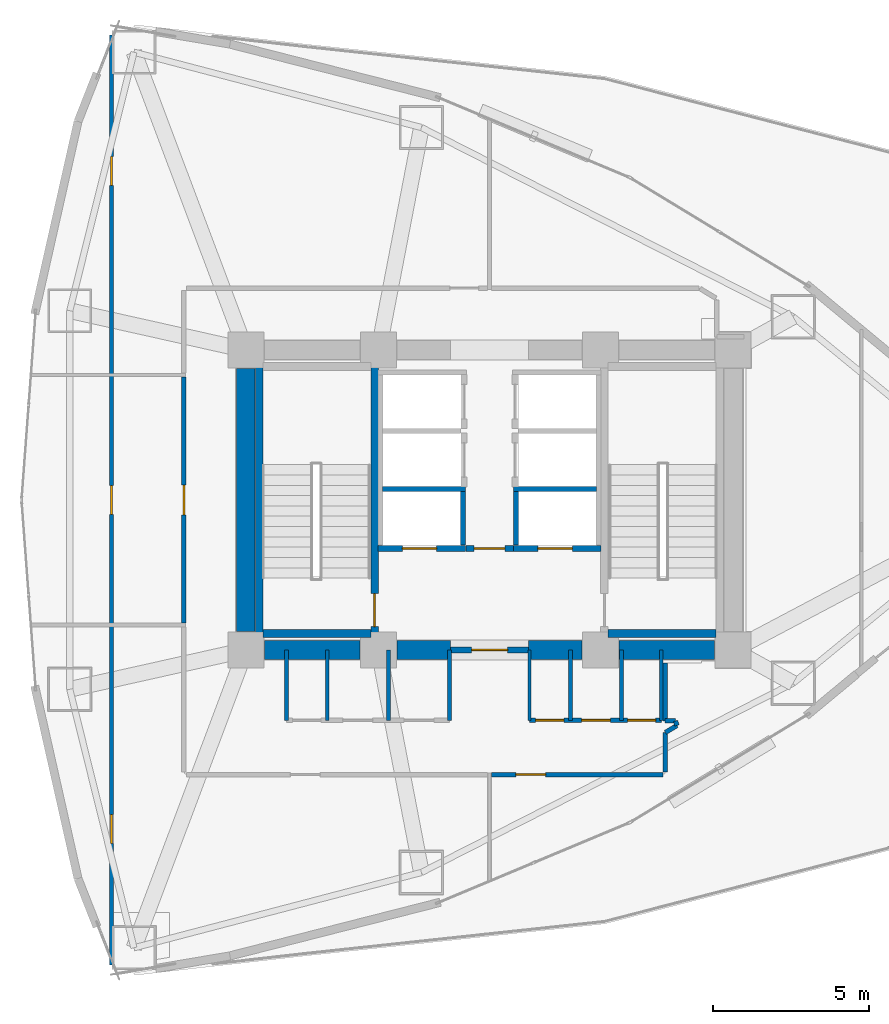
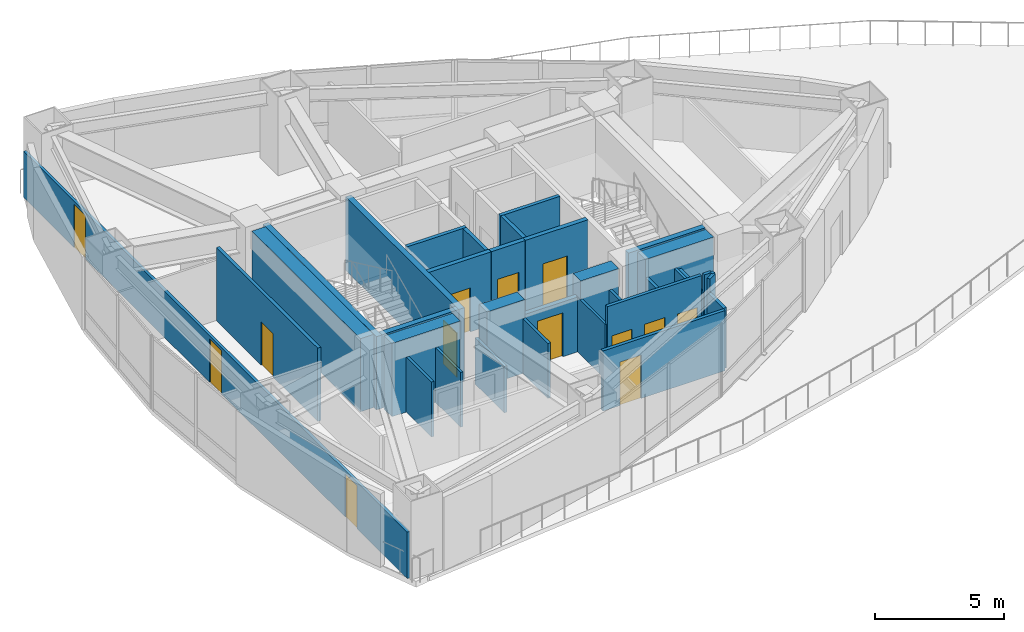
# One storey, part 14 of 19: 34 walls, 13 doors, 13 openings.
"""IFC4 building model written with IfcOpenShell, lengths in metres."""

from ifc_helpers import new_model, si_unit, direction, frame, frame_2d, origin, place, context, subcontext, project, spatial, rectangle, extrude, material, layer, layer_set, type_object, element, fill, save


model = new_model("IFC4")

# Units and contexts
model_context = context("Model", 3, precision=1e-05, world=origin(), true_north=direction((0.0, 1.0)))
body_context = subcontext(model_context, "Body", "Model", "MODEL_VIEW")
ifc_project = project(units=[si_unit("LENGTHUNIT", "METRE"), si_unit("AREAUNIT", "SQUARE_METRE"), si_unit("VOLUMEUNIT", "CUBIC_METRE"), si_unit("PLANEANGLEUNIT", "RADIAN"), si_unit("MASSUNIT", "GRAM", prefix="KILO")], contexts=[model_context])

# Site, building, storey
site_placement = place(None, origin())
site = spatial("IfcSite", under=ifc_project, at=site_placement, CompositionType="ELEMENT")
building_placement = place(site_placement, origin())
building = spatial("IfcBuilding", under=site, at=building_placement, Name="Menara Vayukalpa", CompositionType="ELEMENT")
storey_placement = place(building_placement, frame((0.0, 0.0, 68.52001953125)))
storey = spatial("IfcBuildingStorey", under=building, at=storey_placement, Name="L16", CompositionType="ELEMENT", Elevation=68.52001953125)

# Walls
ifc_material_1 = material(Name="Concrete C70/85", Category="concrete")
ifc_layer_1 = layer(ifc_material_1, 0.60009765625)
ifc_layer_set_1 = layer_set([ifc_layer_1], Name="Concrete C70/85")
wall_type_1 = type_object("IfcWallType", Name="WAL-CW600", PredefinedType="SHEAR", material=ifc_layer_set_1)
wall_1_placement = place(storey_placement, frame((18.39501953125, 17.199951171875, 0.0), z_axis=(0.0, 0.0, 1.0), x_axis=(1.0, 0.0, 0.0)))
element("IfcWall", 1, at=wall_1_placement, inside=storey, type_object=wall_type_1, Name="L16 Buttressed Core Shear Wall CWS1", PredefinedType="SHEAR", context=body_context, shape_type="SweptSolid", body=[
    extrude(rectangle(XDim=3.06005859375, YDim=0.60009765625, at=frame_2d((1.530029296875, 0.0))), origin(), (0.0, 0.0, 1.0), 3.469970703125),
])
wall_2_placement = place(storey_placement, frame((22.64501953125, 17.199951171875, 0.0), z_axis=(0.0, 0.0, 1.0), x_axis=(1.0, 0.0, 0.0)))
element("IfcWall", 2, at=wall_2_placement, inside=storey, type_object=wall_type_1, Name="L16 Buttressed Core Shear Wall CWS2", PredefinedType="SHEAR", context=body_context, shape_type="SweptSolid", body=[
    extrude(rectangle(XDim=1.705078125, YDim=0.60009765625, at=frame_2d((0.8525390625, 0.0))), origin(), (0.0, 0.0, 1.0), 3.469970703125),
])
wall_3_placement = place(storey_placement, frame((26.85009765625, 17.199951171875, 0.0), z_axis=(0.0, 0.0, 1.0), x_axis=(1.0, 0.0, 0.0)))
element("IfcWall", 3, at=wall_3_placement, inside=storey, type_object=wall_type_1, Name="L16 Buttressed Core Shear Wall CWS3", PredefinedType="SHEAR", context=body_context, shape_type="SweptSolid", body=[
    extrude(rectangle(XDim=1.704833984375, YDim=0.60009765625, at=frame_2d((0.8525390625, 0.0))), origin(), (0.0, 0.0, 1.0), 3.469970703125),
])
wall_4_placement = place(storey_placement, frame((29.7451171875, 17.199951171875, 0.0), z_axis=(0.0, 0.0, 1.0), x_axis=(1.0, 0.0, 0.0)))
element("IfcWall", 4, at=wall_4_placement, inside=storey, type_object=wall_type_1, Name="L16 Buttressed Core Shear Wall CWS4", PredefinedType="SHEAR", context=body_context, shape_type="SweptSolid", body=[
    extrude(rectangle(XDim=3.059814453125, YDim=0.60009765625, at=frame_2d((1.52978515625, 0.0))), origin(), (0.0, 0.0, 1.0), 3.469970703125),
])
wall_5_placement = place(storey_placement, frame((17.800048828125, 17.794921875, 0.0), z_axis=(0.0, 0.0, 1.0), x_axis=(0.0, 1.0, 0.0)))
element("IfcWall", 5, at=wall_5_placement, inside=storey, type_object=wall_type_1, Name="L16 Buttressed Core Shear Wall CWW1", PredefinedType="SHEAR", context=body_context, shape_type="SweptSolid", body=[
    extrude(rectangle(XDim=8.41015625, YDim=0.60009765625, at=frame_2d((4.205078125, 0.0))), origin(), (0.0, 0.0, 1.0), 3.469970703125),
])
ifc_material_2 = material(Name="Lightweight Concrete Blockwork C16/20", Category="masonry")
ifc_layer_2 = layer(ifc_material_2, 0.159912109375)
ifc_layer_set_2 = layer_set([ifc_layer_2], Name="Lightweight Concrete Blockwork C16/20")
wall_type_2 = type_object("IfcWallType", Name="WAL-FR150", PredefinedType="PARTITIONING", material=ifc_layer_set_2)
wall_6_placement = place(storey_placement, frame((24.7548828125, 20.56005859375, 0.0), z_axis=(0.0, 0.0, 1.0), x_axis=(0.0, 1.0, 0.0)))
element("IfcWall", 6, at=wall_6_placement, inside=storey, type_object=wall_type_2, Name="L16 Interior Partition IW-L16-SHW-W1E", PredefinedType="PARTITIONING", context=body_context, shape_type="SweptSolid", body=[
    extrude(rectangle(XDim=1.7099609375, YDim=0.159912109375, at=frame_2d((0.85498046875, 0.0))), origin(), (0.0, 0.0, 1.0), 3.469970703125),
])
wall_7_placement = place(storey_placement, frame((22.179931640625, 22.344970703125, 0.0), z_axis=(0.0, 0.0, 1.0), x_axis=(1.0, 0.0, 0.0)))
element("IfcWall", 7, at=wall_7_placement, inside=storey, type_object=wall_type_2, Name="L16 Interior Partition IW-L16-SHM-W12", PredefinedType="PARTITIONING", context=body_context, shape_type="SweptSolid", body=[
    extrude(rectangle(XDim=2.650146484375, YDim=0.159912109375, at=frame_2d((1.3251953125, 0.0))), origin(), (0.0, 0.0, 1.0), 3.469970703125),
])
wall_8_placement = place(storey_placement, frame((26.445068359375, 20.56005859375, 0.0), z_axis=(0.0, 0.0, 1.0), x_axis=(0.0, 1.0, 0.0)))
element("IfcWall", 8, at=wall_8_placement, inside=storey, type_object=wall_type_2, Name="L16 Interior Partition IW-L16-SHW-E1W", PredefinedType="PARTITIONING", context=body_context, shape_type="SweptSolid", body=[
    extrude(rectangle(XDim=1.7099609375, YDim=0.159912109375, at=frame_2d((0.85498046875, 0.0))), origin(), (0.0, 0.0, 1.0), 3.469970703125),
])
wall_9_placement = place(storey_placement, frame((26.3701171875, 22.344970703125, 0.0), z_axis=(0.0, 0.0, 1.0), x_axis=(1.0, 0.0, 0.0)))
element("IfcWall", 9, at=wall_9_placement, inside=storey, type_object=wall_type_2, Name="L16 Interior Partition IW-L16-SHM-E13", PredefinedType="PARTITIONING", context=body_context, shape_type="SweptSolid", body=[
    extrude(rectangle(XDim=2.64990234375, YDim=0.159912109375, at=frame_2d((1.324951171875, 0.0))), origin(), (0.0, 0.0, 1.0), 3.469970703125),
])

# Wall, opening, door
ifc_material_3 = material(Name="Lightweight Concrete Blockwork C16/20", Category="masonry")
ifc_layer_3 = layer(ifc_material_3, 0.199951171875)
ifc_layer_set_3 = layer_set([ifc_layer_3], Name="Lightweight Concrete Blockwork C16/20")
wall_type_3 = type_object("IfcWallType", Name="WAL-FR200", PredefinedType="PARTITIONING", material=ifc_layer_set_3)
wall_10_placement = place(storey_placement, frame((24.35009765625, 17.199951171875, 0.0), z_axis=(0.0, 0.0, 1.0), x_axis=(1.0, 0.0, 0.0)))
wall_10 = element("IfcWall", 10, at=wall_10_placement, inside=storey, type_object=wall_type_3, Name="L16 Interior Partition IW-L16-FFLS", PredefinedType="PARTITIONING", context=body_context, shape_type="SweptSolid", body=[
    extrude(rectangle(XDim=2.5, YDim=0.199951171875, at=frame_2d((1.25, 0.0))), origin(), (0.0, 0.0, 1.0), 2.60009765625),
])
opening_1_placement = place(wall_10_placement, frame((0.679931640625, 0.0, 0.0)))
opening_1 = element("IfcOpeningElement", 11, at=opening_1_placement, cuts=wall_10, Name="Opening ID2", PredefinedType="OPENING", context=body_context, shape_type="SweptSolid", body=[
    extrude(rectangle(XDim=1.14990234375, YDim=2.080078125, at=frame_2d((0.574951171875, 1.0400390625))), frame((0.0, 0.10986328125, 0.0), z_axis=(0.0, -1.0, 0.0), x_axis=(1.0, 0.0, 0.0)), (0.0, 0.0, 1.0), 0.219970703125),
])
ifc_material_4 = material(Name="Fire-Rated Powder-Coated Steel Door", Category="steel")
door_type_1 = type_object("IfcDoorType", Name="DR-FD60W", OperationType="NOTDEFINED", PredefinedType="DOOR", material=ifc_material_4)
door_1_placement = place(opening_1_placement, origin())
door_1 = element("IfcDoor", 12, at=door_1_placement, inside=storey, type_object=door_type_1, Name="L16 Interior Door DR-L16-FFLS", OperationType="SINGLE_SWING_LEFT", OverallHeight=2.080078125, OverallWidth=1.14990234375, PredefinedType="DOOR", context=body_context, shape_type="SweptSolid", body=[
    extrude(rectangle(XDim=1.14990234375, YDim=2.080078125, at=frame_2d((0.574951171875, 1.0400390625))), frame((0.0, 0.02490234375, 0.0), z_axis=(0.0, -1.0, 0.0), x_axis=(1.0, 0.0, 0.0)), (0.0, 0.0, 1.0), 0.050048828125),
])
fill(opening_1, door_1)

wall_11_placement = place(storey_placement, frame((24.840087890625, 20.449951171875, 0.0), z_axis=(0.0, 0.0, 1.0), x_axis=(1.0, 0.0, 0.0)))
wall_11 = element("IfcWall", 13, at=wall_11_placement, inside=storey, type_object=wall_type_3, Name="L16 Interior Partition IW-L16-FFLN", PredefinedType="PARTITIONING", context=body_context, shape_type="SweptSolid", body=[
    extrude(rectangle(XDim=1.52001953125, YDim=0.199951171875, at=frame_2d((0.760009765625, 0.0))), origin(), (0.0, 0.0, 1.0), 3.469970703125),
])
opening_2_placement = place(wall_11_placement, frame((0.27001953125, 0.0, 0.0)))
opening_2 = element("IfcOpeningElement", 14, at=opening_2_placement, cuts=wall_11, Name="Opening ID3", PredefinedType="OPENING", context=body_context, shape_type="SweptSolid", body=[
    extrude(rectangle(XDim=0.97998046875, YDim=2.06005859375, at=frame_2d((0.489990234375, 1.030029296875))), frame((0.0, 0.10986328125, 0.0), z_axis=(0.0, -1.0, 0.0), x_axis=(1.0, 0.0, 0.0)), (0.0, 0.0, 1.0), 0.219970703125),
])
ifc_material_5 = material(Name="Fire-Rated Powder-Coated Steel Door", Category="steel")
door_type_2 = type_object("IfcDoorType", Name="DR-FD60", OperationType="NOTDEFINED", PredefinedType="DOOR", material=ifc_material_5)
door_2_placement = place(opening_2_placement, origin())
door_2 = element("IfcDoor", 15, at=door_2_placement, inside=storey, type_object=door_type_2, Name="L16 Interior Door DR-L16-FFLN", OperationType="SINGLE_SWING_RIGHT", OverallHeight=2.06005859375, OverallWidth=0.97998046875, PredefinedType="DOOR", context=body_context, shape_type="SweptSolid", body=[
    extrude(rectangle(XDim=0.97998046875, YDim=2.06005859375, at=frame_2d((0.489990234375, 1.030029296875))), frame((0.0, 0.02490234375, 0.0), z_axis=(0.0, -1.0, 0.0), x_axis=(1.0, 0.0, 0.0)), (0.0, 0.0, 1.0), 0.050048828125),
])
fill(opening_2, door_2)

wall_12_placement = place(storey_placement, frame((22.030029296875, 20.449951171875, 0.0), z_axis=(0.0, 0.0, 1.0), x_axis=(1.0, 0.0, 0.0)))
wall_12 = element("IfcWall", 16, at=wall_12_placement, inside=storey, type_object=wall_type_3, Name="L16 Interior Partition IW-L16-SH-W1", PredefinedType="PARTITIONING", context=body_context, shape_type="SweptSolid", body=[
    extrude(rectangle(XDim=2.800048828125, YDim=0.199951171875, at=frame_2d((1.39990234375, 0.0))), origin(), (0.0, 0.0, 1.0), 3.469970703125),
])
opening_3_placement = place(wall_12_placement, frame((0.780029296875, 0.0, 0.0)))
opening_3 = element("IfcOpeningElement", 17, at=opening_3_placement, cuts=wall_12, Name="Opening LD1", PredefinedType="OPENING", context=body_context, shape_type="SweptSolid", body=[
    extrude(rectangle(XDim=1.10009765625, YDim=2.080078125, at=frame_2d((0.550048828125, 1.0400390625))), frame((0.0, 0.10986328125, 0.0), z_axis=(0.0, -1.0, 0.0), x_axis=(1.0, 0.0, 0.0)), (0.0, 0.0, 1.0), 0.219970703125),
])
ifc_material_6 = material(Name="Brushed Stainless Steel 316 Lift Door", Category="steel")
door_type_3 = type_object("IfcDoorType", Name="DR-LD110", OperationType="NOTDEFINED", PredefinedType="DOOR", material=ifc_material_6)
door_3_placement = place(opening_3_placement, origin())
door_3 = element("IfcDoor", 18, at=door_3_placement, inside=storey, type_object=door_type_3, Name="L16 Interior Door DR-L16-LD-W1", OperationType="DOUBLE_DOOR_SLIDING", OverallHeight=2.080078125, OverallWidth=1.10009765625, PredefinedType="DOOR", context=body_context, shape_type="SweptSolid", body=[
    extrude(rectangle(XDim=1.10009765625, YDim=2.080078125, at=frame_2d((0.550048828125, 1.0400390625))), frame((0.0, 0.02490234375, 0.0), z_axis=(0.0, -1.0, 0.0), x_axis=(1.0, 0.0, 0.0)), (0.0, 0.0, 1.0), 0.050048828125),
])
fill(opening_3, door_3)

wall_13_placement = place(storey_placement, frame((26.3701171875, 20.449951171875, 0.0), z_axis=(0.0, 0.0, 1.0), x_axis=(1.0, 0.0, 0.0)))
wall_13 = element("IfcWall", 19, at=wall_13_placement, inside=storey, type_object=wall_type_3, Name="L16 Interior Partition IW-L16-SH-E1", PredefinedType="PARTITIONING", context=body_context, shape_type="SweptSolid", body=[
    extrude(rectangle(XDim=2.7998046875, YDim=0.199951171875, at=frame_2d((1.39990234375, 0.0))), origin(), (0.0, 0.0, 1.0), 3.469970703125),
])
opening_4_placement = place(wall_13_placement, frame((0.780029296875, 0.0, 0.0)))
opening_4 = element("IfcOpeningElement", 20, at=opening_4_placement, cuts=wall_13, Name="Opening LD1", PredefinedType="OPENING", context=body_context, shape_type="SweptSolid", body=[
    extrude(rectangle(XDim=1.10009765625, YDim=2.080078125, at=frame_2d((0.550048828125, 1.0400390625))), frame((0.0, 0.10986328125, 0.0), z_axis=(0.0, -1.0, 0.0), x_axis=(1.0, 0.0, 0.0)), (0.0, 0.0, 1.0), 0.219970703125),
])
door_4_placement = place(opening_4_placement, origin())
door_4 = element("IfcDoor", 21, at=door_4_placement, inside=storey, type_object=door_type_3, Name="L16 Interior Door DR-L16-LD-E1", OperationType="DOUBLE_DOOR_SLIDING", OverallHeight=2.080078125, OverallWidth=1.10009765625, PredefinedType="DOOR", context=body_context, shape_type="SweptSolid", body=[
    extrude(rectangle(XDim=1.10009765625, YDim=2.080078125, at=frame_2d((0.550048828125, 1.0400390625))), frame((0.0, 0.02490234375, 0.0), z_axis=(0.0, -1.0, 0.0), x_axis=(1.0, 0.0, 0.0)), (0.0, 0.0, 1.0), 0.050048828125),
])
fill(opening_4, door_4)

# Walls
ifc_material_7 = material(Name="Acoustic Mineral Stud Partition", Category="masonry")
ifc_layer_4 = layer(ifc_material_7, 0.110107421875)
ifc_layer_set_4 = layer_set([ifc_layer_4], Name="Acoustic Mineral Stud Partition")
wall_type_4 = type_object("IfcWallType", Name="WAL-PT110", PredefinedType="PARTITIONING", material=ifc_layer_set_4)
for number, where, z_axis, x_axis, name in (
    (22, (20.39990234375, 14.949951171875, 0.0), (0.0, 0.0, 1.0), (0.0, 1.0, 0.0), "L16 Interior Partition IW-L16-SVCD-02"),
    (23, (26.8798828125, 14.949951171875, 0.0), (0.0, 0.0, 1.0), (0.0, 1.0, 0.0), "L16 Interior Partition IW-L16-SVCD-05"),
    (24, (31.10009765625, 14.949951171875, 0.0), (0.0, 0.0, 1.0), (0.0, 1.0, 0.0), "L16 Interior Partition IW-L16-SVCD-08"),
):
    element("IfcWall", number, at=place(storey_placement, frame(where, z_axis=z_axis, x_axis=x_axis)), inside=storey, type_object=wall_type_4, Name=name, PredefinedType="PARTITIONING", context=body_context, shape_type="SweptSolid", body=[
        extrude(rectangle(XDim=2.25, YDim=0.110107421875, at=frame_2d((1.125, 0.0))), origin(), (0.0, 0.0, 1.0), 2.60009765625),
    ])
ifc_material_8 = material(Name="Gypsum Drywall Steel Stud Assembly", Category="steel")
ifc_layer_5 = layer(ifc_material_8, 0.125)
ifc_layer_set_5 = layer_set([ifc_layer_5], Name="Gypsum Drywall Steel Stud Assembly")
wall_type_5 = type_object("IfcWallType", Name="WAL-PT125", PredefinedType="PARTITIONING", material=ifc_layer_set_5)
wall_14_placement = place(storey_placement, frame((19.10009765625, 14.949951171875, 0.0), z_axis=(0.0, 0.0, 1.0), x_axis=(0.0, 1.0, 0.0)))
element("IfcWall", 25, at=wall_14_placement, inside=storey, type_object=wall_type_5, Name="L16 Interior Partition IW-L16-SVCD-01", PredefinedType="PARTITIONING", context=body_context, shape_type="SweptSolid", body=[
    extrude(rectangle(XDim=2.25, YDim=0.125, at=frame_2d((1.125, 0.0))), origin(), (0.0, 0.0, 1.0), 2.60009765625),
])
wall_15_placement = place(storey_placement, frame((22.360107421875, 14.949951171875, 0.0), z_axis=(0.0, 0.0, 1.0), x_axis=(0.0, 1.0, 0.0)))
element("IfcWall", 26, at=wall_15_placement, inside=storey, type_object=wall_type_5, Name="L16 Interior Partition IW-L16-SVCD-03", PredefinedType="PARTITIONING", context=body_context, shape_type="SweptSolid", body=[
    extrude(rectangle(XDim=2.25, YDim=0.125, at=frame_2d((1.125, 0.0))), origin(), (0.0, 0.0, 1.0), 2.199951171875),
])
for number, where, z_axis, x_axis, name in (
    (27, (24.320068359375, 14.949951171875, 0.0), (0.0, 0.0, 1.0), (0.0, 1.0, 0.0), "L16 Interior Partition IW-L16-SVCD-04"),
    (28, (28.18994140625, 14.949951171875, 0.0), (0.0, 0.0, 1.0), (0.0, 1.0, 0.0), "L16 Interior Partition IW-L16-SVCD-06"),
    (29, (29.830078125, 14.949951171875, 0.0), (0.0, 0.0, 1.0), (0.0, 1.0, 0.0), "L16 Interior Partition IW-L16-SVCD-07"),
):
    element("IfcWall", number, at=place(storey_placement, frame(where, z_axis=z_axis, x_axis=x_axis)), inside=storey, type_object=wall_type_5, Name=name, PredefinedType="PARTITIONING", context=body_context, shape_type="SweptSolid", body=[
        extrude(rectangle(XDim=2.25, YDim=0.125, at=frame_2d((1.125, 0.0))), origin(), (0.0, 0.0, 1.0), 2.60009765625),
    ])

# Wall, openings, doors
wall_16_placement = place(storey_placement, frame((13.5, 7.122802734375, 0.0), z_axis=(0.0, 0.0, 1.0), x_axis=(0.0, 1.0, 0.0)))
wall_16 = element("IfcWall", 30, at=wall_16_placement, inside=storey, type_object=wall_type_5, Name="L16 Interior Partition IW-L16-RDIV01", PredefinedType="PARTITIONING", context=body_context, shape_type="SweptSolid", body=[
    extrude(rectangle(XDim=29.75439453125, YDim=0.125, at=frame_2d((14.877197265625, 0.0))), origin(), (0.0, 0.0, 1.0), 2.199951171875),
])
opening_5_placement = place(wall_16_placement, frame((3.88818359375, 0.0, 0.0)))
opening_5 = element("IfcOpeningElement", 31, at=opening_5_placement, cuts=wall_16, Name="Opening ID6", PredefinedType="OPENING", context=body_context, shape_type="SweptSolid", body=[
    extrude(rectangle(XDim=0.919921875, YDim=2.050048828125, at=frame_2d((0.4599609375, 1.02490234375))), frame((0.0, 0.072509765625, 0.0), z_axis=(0.0, -1.0, 0.0), x_axis=(1.0, 0.0, 0.0)), (0.0, 0.0, 1.0), 0.14501953125),
])
opening_6_placement = place(wall_16_placement, frame((24.94580078125, 0.0, 0.0)))
opening_6 = element("IfcOpeningElement", 32, at=opening_6_placement, cuts=wall_16, Name="Opening ID6", PredefinedType="OPENING", context=body_context, shape_type="SweptSolid", body=[
    extrude(rectangle(XDim=0.919921875, YDim=2.050048828125, at=frame_2d((0.4599609375, 1.02490234375))), frame((0.0, 0.072509765625, 0.0), z_axis=(0.0, -1.0, 0.0), x_axis=(1.0, 0.0, 0.0)), (0.0, 0.0, 1.0), 0.14501953125),
])
opening_7_placement = place(wall_16_placement, frame((14.4169921875, 0.0, 0.0)))
opening_7 = element("IfcOpeningElement", 33, at=opening_7_placement, cuts=wall_16, Name="Opening ID6", PredefinedType="OPENING", context=body_context, shape_type="SweptSolid", body=[
    extrude(rectangle(XDim=0.919921875, YDim=2.050048828125, at=frame_2d((0.4599609375, 1.02490234375))), frame((0.0, 0.072509765625, 0.0), z_axis=(0.0, -1.0, 0.0), x_axis=(1.0, 0.0, 0.0)), (0.0, 0.0, 1.0), 0.14501953125),
])
ifc_material_9 = material(Name="Acoustic Hardwood Veneer Timber Door", Category="wood")
door_type_4 = type_object("IfcDoorType", Name="DR-INT92", OperationType="NOTDEFINED", PredefinedType="DOOR", material=ifc_material_9)
door_5_placement = place(opening_5_placement, origin())
door_5 = element("IfcDoor", 34, at=door_5_placement, inside=storey, type_object=door_type_4, Name="L16 Interior Door DR-L16-STE01", OperationType="SINGLE_SWING_LEFT", OverallHeight=2.050048828125, OverallWidth=0.919921875, PredefinedType="DOOR", context=body_context, shape_type="SweptSolid", body=[
    extrude(rectangle(XDim=0.919921875, YDim=2.050048828125, at=frame_2d((0.4599609375, 1.02490234375))), frame((0.0, 0.02490234375, 0.0), z_axis=(0.0, -1.0, 0.0), x_axis=(1.0, 0.0, 0.0)), (0.0, 0.0, 1.0), 0.050048828125),
])
fill(opening_5, door_5)
door_6_placement = place(opening_6_placement, origin())
door_6 = element("IfcDoor", 35, at=door_6_placement, inside=storey, type_object=door_type_4, Name="L16 Interior Door DR-L16-STE07", OperationType="SINGLE_SWING_RIGHT", OverallHeight=2.050048828125, OverallWidth=0.919921875, PredefinedType="DOOR", context=body_context, shape_type="SweptSolid", body=[
    extrude(rectangle(XDim=0.919921875, YDim=2.050048828125, at=frame_2d((0.4599609375, 1.02490234375))), frame((0.0, 0.02490234375, 0.0), z_axis=(0.0, -1.0, 0.0), x_axis=(1.0, 0.0, 0.0)), (0.0, 0.0, 1.0), 0.050048828125),
])
fill(opening_6, door_6)
door_7_placement = place(opening_7_placement, origin())
door_7 = element("IfcDoor", 36, at=door_7_placement, inside=storey, type_object=door_type_4, Name="L16 Interior Door DR-L16-STE08", OperationType="SINGLE_SWING_LEFT", OverallHeight=2.050048828125, OverallWidth=0.919921875, PredefinedType="DOOR", context=body_context, shape_type="SweptSolid", body=[
    extrude(rectangle(XDim=0.919921875, YDim=2.050048828125, at=frame_2d((0.4599609375, 1.02490234375))), frame((0.0, 0.02490234375, 0.0), z_axis=(0.0, -1.0, 0.0), x_axis=(1.0, 0.0, 0.0)), (0.0, 0.0, 1.0), 0.050048828125),
])
fill(opening_7, door_7)

ifc_material_10 = material(Name="Gypsum Drywall Acoustic Stud Assembly", Category="masonry")
ifc_layer_6 = layer(ifc_material_10, 0.14501953125)
ifc_layer_set_6 = layer_set([ifc_layer_6], Name="Gypsum Drywall Acoustic Stud Assembly")
wall_type_6 = type_object("IfcWallType", Name="WAL-PT150", PredefinedType="PARTITIONING", material=ifc_layer_set_6)
wall_17_placement = place(storey_placement, frame((26.8798828125, 14.949951171875, 0.0), z_axis=(0.0, 0.0, 1.0), x_axis=(1.0, 0.0, 0.0)))
wall_17 = element("IfcWall", 37, at=wall_17_placement, inside=storey, type_object=wall_type_6, Name="L16 Interior Partition IW-L16-SVCS-E", PredefinedType="PARTITIONING", context=body_context, shape_type="SweptSolid", body=[
    extrude(rectangle(XDim=4.22021484375, YDim=0.14501953125, at=frame_2d((2.110107421875, 0.0))), origin(), (0.0, 0.0, 1.0), 3.469970703125),
])
opening_8_placement = place(wall_17_placement, frame((0.199951171875, 0.0, 0.0)))
opening_8 = element("IfcOpeningElement", 38, at=opening_8_placement, cuts=wall_17, Name="Opening ID7", PredefinedType="OPENING", context=body_context, shape_type="SweptSolid", body=[
    extrude(rectangle(XDim=0.89990234375, YDim=2.02001953125, at=frame_2d((0.449951171875, 1.010009765625))), frame((0.0, 0.08251953125, 0.0), z_axis=(0.0, -1.0, 0.0), x_axis=(1.0, 0.0, 0.0)), (0.0, 0.0, 1.0), 0.1650390625),
])
opening_9_placement = place(wall_17_placement, frame((1.669921875, 0.0, 0.0)))
opening_9 = element("IfcOpeningElement", 39, at=opening_9_placement, cuts=wall_17, Name="Opening ID6", PredefinedType="OPENING", context=body_context, shape_type="SweptSolid", body=[
    extrude(rectangle(XDim=0.919921875, YDim=2.050048828125, at=frame_2d((0.4599609375, 1.02490234375))), frame((0.0, 0.08251953125, 0.0), z_axis=(0.0, -1.0, 0.0), x_axis=(1.0, 0.0, 0.0)), (0.0, 0.0, 1.0), 0.1650390625),
])
opening_10_placement = place(wall_17_placement, frame((3.139892578125, 0.0, 0.0)))
opening_10 = element("IfcOpeningElement", 40, at=opening_10_placement, cuts=wall_17, Name="Opening ID7", PredefinedType="OPENING", context=body_context, shape_type="SweptSolid", body=[
    extrude(rectangle(XDim=0.89990234375, YDim=2.02001953125, at=frame_2d((0.449951171875, 1.010009765625))), frame((0.0, 0.08251953125, 0.0), z_axis=(0.0, -1.0, 0.0), x_axis=(1.0, 0.0, 0.0)), (0.0, 0.0, 1.0), 0.1650390625),
])
door_8_placement = place(opening_9_placement, origin())
door_8 = element("IfcDoor", 41, at=door_8_placement, inside=storey, type_object=door_type_4, Name="L16 Interior Door DR-L16-KSV2", OperationType="SINGLE_SWING_LEFT", OverallHeight=2.050048828125, OverallWidth=0.919921875, PredefinedType="DOOR", context=body_context, shape_type="SweptSolid", body=[
    extrude(rectangle(XDim=0.919921875, YDim=2.050048828125, at=frame_2d((0.4599609375, 1.02490234375))), frame((0.0, 0.02490234375, 0.0), z_axis=(0.0, -1.0, 0.0), x_axis=(1.0, 0.0, 0.0)), (0.0, 0.0, 1.0), 0.050048828125),
])
fill(opening_9, door_8)
ifc_material_11 = material(Name="Powder-Coated Steel Riser Access Door", Category="steel")
door_type_5 = type_object("IfcDoorType", Name="DR-RISER", OperationType="NOTDEFINED", PredefinedType="DOOR", material=ifc_material_11)
door_9_placement = place(opening_8_placement, origin())
door_9 = element("IfcDoor", 42, at=door_9_placement, inside=storey, type_object=door_type_5, Name="L16 Interior Door DR-L16-KSV1", OperationType="SINGLE_SWING_RIGHT", OverallHeight=2.02001953125, OverallWidth=0.89990234375, PredefinedType="DOOR", context=body_context, shape_type="SweptSolid", body=[
    extrude(rectangle(XDim=0.89990234375, YDim=2.02001953125, at=frame_2d((0.449951171875, 1.010009765625))), frame((0.0, 0.02490234375, 0.0), z_axis=(0.0, -1.0, 0.0), x_axis=(1.0, 0.0, 0.0)), (0.0, 0.0, 1.0), 0.050048828125),
])
fill(opening_8, door_9)
door_10_placement = place(opening_10_placement, origin())
door_10 = element("IfcDoor", 43, at=door_10_placement, inside=storey, type_object=door_type_5, Name="L16 Interior Door DR-L16-SMD", OperationType="SINGLE_SWING_RIGHT", OverallHeight=2.02001953125, OverallWidth=0.89990234375, PredefinedType="DOOR", context=body_context, shape_type="SweptSolid", body=[
    extrude(rectangle(XDim=0.89990234375, YDim=2.02001953125, at=frame_2d((0.449951171875, 1.010009765625))), frame((0.0, 0.02490234375, 0.0), z_axis=(0.0, -1.0, 0.0), x_axis=(1.0, 0.0, 0.0)), (0.0, 0.0, 1.0), 0.050048828125),
])
fill(opening_10, door_10)

# Wall, opening, door
wall_18_placement = place(storey_placement, frame((25.669921875, 13.2099609375, 0.0), z_axis=(0.0, 0.0, 1.0), x_axis=(1.0, 0.0, 0.0)))
wall_18 = element("IfcWall", 44, at=wall_18_placement, inside=storey, type_object=wall_type_6, Name="L16 Interior Partition IW-L16-CRM05-1", PredefinedType="PARTITIONING", context=body_context, shape_type="SweptSolid", body=[
    extrude(rectangle(XDim=5.47998046875, YDim=0.14501953125, at=frame_2d((2.739990234375, 0.0))), origin(), (0.0, 0.0, 1.0), 2.85009765625),
])
opening_11_placement = place(wall_18_placement, frame((0.776123046875, 0.0, 0.0)))
opening_11 = element("IfcOpeningElement", 45, at=opening_11_placement, cuts=wall_18, Name="Opening ID5", PredefinedType="OPENING", context=body_context, shape_type="SweptSolid", body=[
    extrude(rectangle(XDim=0.949951171875, YDim=2.06005859375, at=frame_2d((0.47509765625, 1.030029296875))), frame((0.0, 0.08251953125, 0.0), z_axis=(0.0, -1.0, 0.0), x_axis=(1.0, 0.0, 0.0)), (0.0, 0.0, 1.0), 0.1650390625),
])
ifc_material_12 = material(Name="Acoustic Hardwood Veneer Timber Door", Category="wood")
door_type_6 = type_object("IfcDoorType", Name="DR-INT95", OperationType="NOTDEFINED", PredefinedType="DOOR", material=ifc_material_12)
door_11_placement = place(opening_11_placement, origin())
door_11 = element("IfcDoor", 46, at=door_11_placement, inside=storey, type_object=door_type_6, Name="L16 Interior Door DR-L16-RM05", OperationType="SINGLE_SWING_RIGHT", OverallHeight=2.06005859375, OverallWidth=0.949951171875, PredefinedType="DOOR", context=body_context, shape_type="SweptSolid", body=[
    extrude(rectangle(XDim=0.949951171875, YDim=2.06005859375, at=frame_2d((0.47509765625, 1.030029296875))), frame((0.0, 0.02490234375, 0.0), z_axis=(0.0, -1.0, 0.0), x_axis=(1.0, 0.0, 0.0)), (0.0, 0.0, 1.0), 0.050048828125),
])
fill(opening_11, door_11)

# Walls
wall_19_placement = place(storey_placement, frame((31.22998046875, 13.2900390625, 0.0), z_axis=(0.0, 0.0, 1.0), x_axis=(0.0, 1.0, 0.0)))
element("IfcWall", 47, at=wall_19_placement, inside=storey, type_object=wall_type_6, Name="L16 Interior Partition IW-L16-CRM05-2", PredefinedType="PARTITIONING", context=body_context, shape_type="SweptSolid", body=[
    extrude(rectangle(XDim=1.26806640625, YDim=0.14501953125, at=frame_2d((0.634033203125, 0.0))), origin(), (0.0, 0.0, 1.0), 2.85009765625),
])
wall_20_placement = place(storey_placement, frame((31.22998046875, 14.55810546875, 0.0), z_axis=(0.0, 0.0, 1.0), x_axis=(0.854931196424, 0.518741408971, 0.0)))
element("IfcWall", 48, at=wall_20_placement, inside=storey, type_object=wall_type_6, Name="L16 Interior Partition IW-L16-CRM05-3", PredefinedType="PARTITIONING", context=body_context, shape_type="SweptSolid", body=[
    extrude(rectangle(XDim=0.4306640625, YDim=0.14501953125, at=frame_2d((0.21533203125, 0.0))), origin(), (0.0, 0.0, 1.0), 3.469970703125),
])
wall_21_placement = place(storey_placement, frame((31.556640625, 14.929931640625, 0.0), z_axis=(0.0, 0.0, 1.0), x_axis=(-1.0, 0.0, 0.0)))
element("IfcWall", 49, at=wall_21_placement, inside=storey, type_object=wall_type_6, Name="L16 Interior Partition IW-L16-CRM05-4", PredefinedType="PARTITIONING", context=body_context, shape_type="SweptSolid", body=[
    extrude(rectangle(XDim=0.336669921875, YDim=0.14501953125, at=frame_2d((0.16845703125, 0.0))), origin(), (0.0, 0.0, 1.0), 3.469970703125),
])
wall_22_placement = place(storey_placement, frame((31.219970703125, 14.929931640625, 0.0), z_axis=(0.0, 0.0, 1.0), x_axis=(0.0, 1.0, 0.0)))
element("IfcWall", 50, at=wall_22_placement, inside=storey, type_object=wall_type_6, Name="L16 Interior Partition IW-L16-CRM05-5", PredefinedType="PARTITIONING", context=body_context, shape_type="SweptSolid", body=[
    extrude(rectangle(XDim=1.85009765625, YDim=0.14501953125, at=frame_2d((0.925048828125, 0.0))), origin(), (0.0, 0.0, 1.0), 2.60009765625),
])

# Wall, opening, door
wall_23_placement = place(storey_placement, frame((15.820068359375, 25.929931640625, 0.0), z_axis=(0.0, 0.0, 1.0), x_axis=(0.0, -1.0, 0.0)))
wall_23 = element("IfcWall", 51, at=wall_23_placement, inside=storey, type_object=wall_type_6, Name="L16 Interior Partition IW-L16-CRM09-1", PredefinedType="PARTITIONING", context=body_context, shape_type="SweptSolid", body=[
    extrude(rectangle(XDim=7.85986328125, YDim=0.14501953125, at=frame_2d((3.929931640625, 0.0))), origin(), (0.0, 0.0, 1.0), 3.469970703125),
])
opening_12_placement = place(wall_23_placement, frame((3.455078125, 0.0, 0.0)))
opening_12 = element("IfcOpeningElement", 52, at=opening_12_placement, cuts=wall_23, Name="Opening ID5", PredefinedType="OPENING", context=body_context, shape_type="SweptSolid", body=[
    extrude(rectangle(XDim=0.949951171875, YDim=2.06005859375, at=frame_2d((0.47509765625, 1.030029296875))), frame((0.0, 0.08251953125, 0.0), z_axis=(0.0, -1.0, 0.0), x_axis=(1.0, 0.0, 0.0)), (0.0, 0.0, 1.0), 0.1650390625),
])
door_12_placement = place(opening_12_placement, origin())
door_12 = element("IfcDoor", 53, at=door_12_placement, inside=storey, type_object=door_type_6, Name="L16 Interior Door DR-L16-RM09", OperationType="SINGLE_SWING_RIGHT", OverallHeight=2.06005859375, OverallWidth=0.949951171875, PredefinedType="DOOR", context=body_context, shape_type="SweptSolid", body=[
    extrude(rectangle(XDim=0.949951171875, YDim=2.06005859375, at=frame_2d((0.47509765625, 1.030029296875))), frame((0.0, 0.02490234375, 0.0), z_axis=(0.0, -1.0, 0.0), x_axis=(1.0, 0.0, 0.0)), (0.0, 0.0, 1.0), 0.050048828125),
])
fill(opening_12, door_12)

# Walls
wall_24_placement = place(storey_placement, frame((31.59814453125, 14.781494140625, 0.0), z_axis=(0.0, 0.0, 1.0), x_axis=(-0.269277388617, 0.963062660464, 0.0)))
element("IfcWall", 54, at=wall_24_placement, inside=storey, type_object=wall_type_6, Name="L16 Interior Partition IW-L16-CRM05-3-R1", PredefinedType="PARTITIONING", context=body_context, shape_type="SweptSolid", body=[
    extrude(rectangle(XDim=0.154052734375, YDim=0.14501953125, at=frame_2d((0.0771484375, 0.0))), origin(), (0.0, 0.0, 1.0), 3.469970703125),
])
ifc_material_13 = material(Name="Concrete C50/60", Category="concrete")
ifc_layer_7 = layer(ifc_material_13, 0.25)
ifc_layer_set_7 = layer_set([ifc_layer_7], Name="Concrete C50/60")
wall_type_7 = type_object("IfcWallType", Name="WAL-SW250", PredefinedType="SHEAR", material=ifc_layer_set_7)
wall_25_placement = place(storey_placement, frame((18.22900390625, 17.60009765625, 0.0), z_axis=(0.0, 0.0, 1.0), x_axis=(0.0, 1.0, 0.0)))
element("IfcWall", 55, at=wall_25_placement, inside=storey, type_object=wall_type_7, Name="L16 ST1 Structural Stair Shaft Wall W", PredefinedType="SHEAR", context=body_context, shape_type="SweptSolid", body=[
    extrude(rectangle(XDim=8.7998046875, YDim=0.25, at=frame_2d((4.39990234375, 0.0))), origin(), (0.0, 0.0, 1.0), 3.469970703125),
])

# Wall, opening, door
wall_26_placement = place(storey_placement, frame((21.925048828125, 17.60009765625, 0.0), z_axis=(0.0, 0.0, 1.0), x_axis=(0.0, 1.0, 0.0)))
wall_26 = element("IfcWall", 56, at=wall_26_placement, inside=storey, type_object=wall_type_7, Name="L16 ST1 Structural Stair Shaft Wall E", PredefinedType="SHEAR", context=body_context, shape_type="SweptSolid", body=[
    extrude(rectangle(XDim=8.7998046875, YDim=0.25, at=frame_2d((4.39990234375, 0.0))), origin(), (0.0, 0.0, 1.0), 3.469970703125),
])
opening_13_placement = place(wall_26_placement, frame((0.35009765625, 0.0, 0.0)))
opening_13 = element("IfcOpeningElement", 57, at=opening_13_placement, cuts=wall_26, Name="Opening ID1", PredefinedType="OPENING", context=body_context, shape_type="SweptSolid", body=[
    extrude(rectangle(XDim=1.050048828125, YDim=2.080078125, at=frame_2d((0.52490234375, 1.0400390625))), frame((0.0, 0.135009765625, 0.0), z_axis=(0.0, -1.0, 0.0), x_axis=(1.0, 0.0, 0.0)), (0.0, 0.0, 1.0), 0.27001953125),
])
ifc_material_14 = material(Name="Fire-Rated Powder-Coated Steel Door", Category="steel")
door_type_7 = type_object("IfcDoorType", Name="DR-FD120", OperationType="NOTDEFINED", PredefinedType="DOOR", material=ifc_material_14)
door_13_placement = place(opening_13_placement, origin())
door_13 = element("IfcDoor", 58, at=door_13_placement, inside=storey, type_object=door_type_7, Name="L16 Stair Exit Door DR-L16-ST1", OperationType="SINGLE_SWING_LEFT", OverallHeight=2.080078125, OverallWidth=1.050048828125, PredefinedType="DOOR", context=body_context, shape_type="SweptSolid", body=[
    extrude(rectangle(XDim=1.050048828125, YDim=2.080078125, at=frame_2d((0.52490234375, 1.0400390625))), frame((0.0, 0.02490234375, 0.0), z_axis=(0.0, -1.0, 0.0), x_axis=(1.0, 0.0, 0.0)), (0.0, 0.0, 1.0), 0.050048828125),
])
fill(opening_13, door_13)

# Walls
for number, where, z_axis, x_axis, name in (
    (59, (18.35400390625, 17.72509765625, 0.0), (0.0, 0.0, 1.0), (1.0, 0.0, 0.0), "L16 ST1 Structural Stair Shaft Wall S"),
    (60, (29.39990234375, 17.72509765625, 0.0), (0.0, 0.0, 1.0), (1.0, 0.0, 0.0), "L16 ST2 Structural Stair Shaft Wall S"),
):
    element("IfcWall", number, at=place(storey_placement, frame(where, z_axis=z_axis, x_axis=x_axis)), inside=storey, type_object=wall_type_7, Name=name, PredefinedType="SHEAR", context=body_context, shape_type="SweptSolid", body=[
        extrude(rectangle(XDim=3.446044921875, YDim=0.25, at=frame_2d((1.72314453125, 0.0))), origin(), (0.0, 0.0, 1.0), 3.469970703125),
    ])

save(model, "model.ifc")
